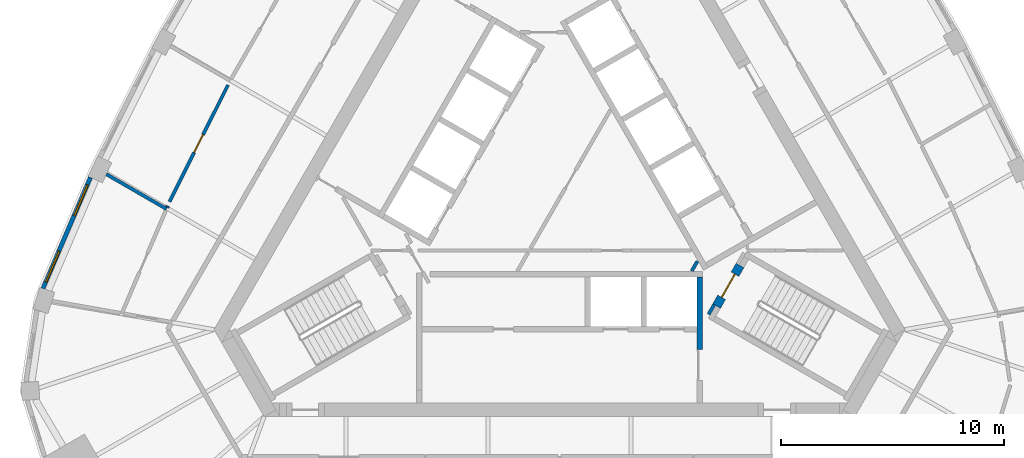
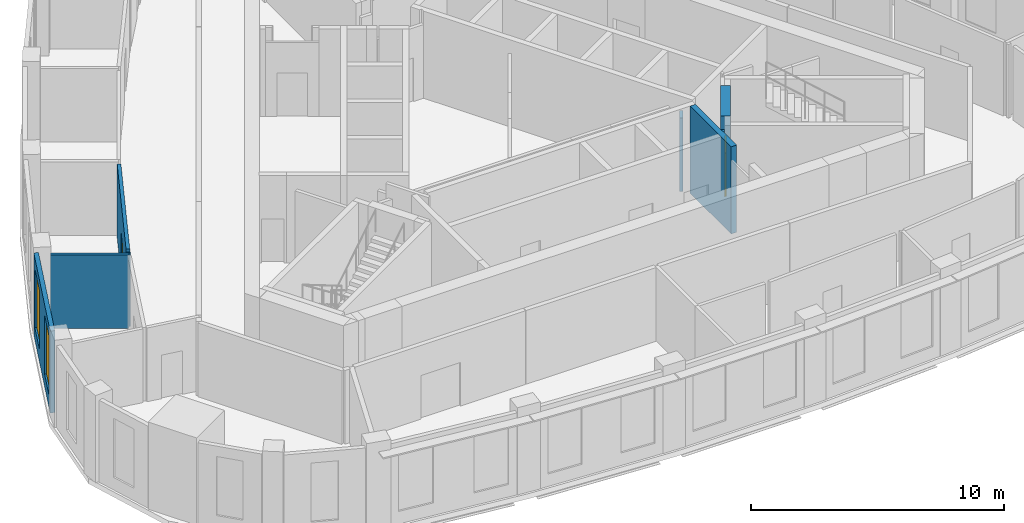
# One storey, part 4 of 10: 8 walls, 2 doors, 2 windows, 4 openings.
"""IFC4 building model written with IfcOpenShell, lengths in metres."""

from ifc_helpers import new_model, si_unit, direction, frame, frame_2d, origin, place, context, subcontext, project, spatial, rectangle, extrude, material, layer, layer_set, type_object, element, fill, save


model = new_model("IFC4")

# Units and contexts
model_context = context("Model", 3, precision=1e-05, world=origin(), true_north=direction((0.0, 1.0)))
body_context = subcontext(model_context, "Body", "Model", "MODEL_VIEW")
ifc_project = project(units=[si_unit("LENGTHUNIT", "METRE"), si_unit("AREAUNIT", "SQUARE_METRE"), si_unit("VOLUMEUNIT", "CUBIC_METRE"), si_unit("PLANEANGLEUNIT", "RADIAN"), si_unit("MASSUNIT", "GRAM", prefix="KILO")], contexts=[model_context])

# Site, building, storey
site_placement = place(None, origin())
site = spatial("IfcSite", under=ifc_project, at=site_placement, CompositionType="ELEMENT")
building_placement = place(site_placement, origin())
building = spatial("IfcBuilding", under=site, at=building_placement, Name="Mestral Congress Tower", CompositionType="ELEMENT")
storey_placement = place(building_placement, frame((0.0, 0.0, 292.199951171875)))
storey = spatial("IfcBuildingStorey", under=building, at=storey_placement, Name="L68", CompositionType="ELEMENT", Elevation=292.199951171875)

# Walls
ifc_material_1 = material(Name="Fire-rated board partition")
ifc_layer_1 = layer(ifc_material_1, 0.14990234375)
ifc_layer_set_1 = layer_set([ifc_layer_1], Name="Fire-rated board partition")
wall_type_1 = type_object("IfcWallType", Name="Core partition 150", PredefinedType="PARTITIONING", material=ifc_layer_set_1)
wall_1_placement = place(storey_placement, frame((6.68798828125, -5.667236328125, 0.0), z_axis=(0.0, 0.0, 1.0), x_axis=(0.499834152157, 0.86612113491, 0.0)))
element("IfcWall", 1, at=wall_1_placement, inside=storey, type_object=wall_type_1, Name="L68 core wall", PredefinedType="PARTITIONING", context=body_context, shape_type="SweptSolid", body=[
    extrude(rectangle(XDim=0.504638671875, YDim=0.14990234375, at=frame_2d((0.25244140625, 0.0))), origin(), (0.0, 0.0, 1.0), 3.550048828125),
])
wall_2_placement = place(storey_placement, frame((5.935791015625, -3.718017578125, 0.0), z_axis=(0.0, 0.0, 1.0), x_axis=(0.499890179513, 0.866088799389, 0.0)))
element("IfcWall", 2, at=wall_2_placement, inside=storey, type_object=wall_type_1, Name="L68 core wall", PredefinedType="PARTITIONING", context=body_context, shape_type="SweptSolid", body=[
    extrude(rectangle(XDim=0.50390625, YDim=0.14990234375, at=frame_2d((0.251953125, 0.0))), origin(), (0.0, 0.0, 1.0), 3.550048828125),
])

# Wall, openings, windows
ifc_material_2 = material(Name="Precast concrete C40/50 with limestone facing", Category="masonry")
ifc_layer_2 = layer(ifc_material_2, 0.18994140625)
ifc_layer_set_2 = layer_set([ifc_layer_2], Name="Precast concrete C40/50 with limestone facing")
wall_type_2 = type_object("IfcWallType", Name="Facade stone wall 190", PredefinedType="SOLIDWALL", material=ifc_layer_set_2)
wall_3_placement = place(storey_placement, frame((-21.048828125, 0.477783203125, 0.0), z_axis=(0.0, 0.0, 1.0), x_axis=(-0.393347848476, -0.919389726992, 0.0)))
wall_3 = element("IfcWall", 3, at=wall_3_placement, inside=storey, type_object=wall_type_2, Name="Facade wall F2-04", PredefinedType="SOLIDWALL", context=body_context, shape_type="SweptSolid", body=[
    extrude(rectangle(XDim=5.414794921875, YDim=0.18994140625, at=frame_2d((2.70751953125, 0.0))), origin(), (0.0, 0.0, 1.0), 3.949951171875),
])
opening_1_placement = place(wall_3_placement, frame((0.357421875, 0.0, 0.60009765625)))
opening_1 = element("IfcOpeningElement", 4, at=opening_1_placement, cuts=wall_3, Name="Opening W6", PredefinedType="OPENING", context=body_context, shape_type="SweptSolid", body=[
    extrude(rectangle(XDim=1.5, YDim=2.85009765625, at=frame_2d((0.75, 1.425048828125))), frame((0.0, 0.10498046875, 0.0), z_axis=(0.0, -1.0, 0.0), x_axis=(1.0, 0.0, 0.0)), (0.0, 0.0, 1.0), 0.2099609375),
])
opening_2_placement = place(wall_3_placement, frame((3.592529296875, 0.0, 0.60009765625)))
opening_2 = element("IfcOpeningElement", 5, at=opening_2_placement, cuts=wall_3, Name="Opening W6", PredefinedType="OPENING", context=body_context, shape_type="SweptSolid", body=[
    extrude(rectangle(XDim=1.5, YDim=2.85009765625, at=frame_2d((0.75, 1.425048828125))), frame((0.0, 0.10498046875, 0.0), z_axis=(0.0, -1.0, 0.0), x_axis=(1.0, 0.0, 0.0)), (0.0, 0.0, 1.0), 0.2099609375),
])
ifc_material_3 = material(Name="Clear low-emissivity double glazing", Category="glass")
window_type = type_object("IfcWindowType", Name="Facade punched window 1500 x 2850 sill 600", PartitioningType="SINGLE_PANEL", PredefinedType="WINDOW", material=ifc_material_3)
window_1_placement = place(opening_1_placement, origin())
window_1 = element("IfcWindow", 6, at=window_1_placement, inside=storey, type_object=window_type, Name="Window F2-04a", OverallHeight=2.85009765625, OverallWidth=1.5, PartitioningType="SINGLE_PANEL", PredefinedType="WINDOW", context=body_context, shape_type="SweptSolid", body=[
    extrude(rectangle(XDim=1.5, YDim=2.85009765625, at=frame_2d((0.75, 1.425048828125))), frame((0.0, 0.044921875, 0.0), z_axis=(0.0, -1.0, 0.0), x_axis=(1.0, 0.0, 0.0)), (0.0, 0.0, 1.0), 0.06005859375),
])
fill(opening_1, window_1)
window_2_placement = place(opening_2_placement, origin())
window_2 = element("IfcWindow", 7, at=window_2_placement, inside=storey, type_object=window_type, Name="Window F2-04b", OverallHeight=2.85009765625, OverallWidth=1.5, PartitioningType="SINGLE_PANEL", PredefinedType="WINDOW", context=body_context, shape_type="SweptSolid", body=[
    extrude(rectangle(XDim=1.5, YDim=2.85009765625, at=frame_2d((0.75, 1.425048828125))), frame((0.0, 0.044921875, 0.0), z_axis=(0.0, -1.0, 0.0), x_axis=(1.0, 0.0, 0.0)), (0.0, 0.0, 1.0), 0.06005859375),
])
fill(opening_2, window_2)

# Wall
ifc_material_4 = material(Name="Plasterboard partition on steel studs", Category="steel")
ifc_layer_3 = layer(ifc_material_4, 0.14990234375)
ifc_layer_set_3 = layer_set([ifc_layer_3], Name="Plasterboard partition on steel studs")
wall_type_3 = type_object("IfcWallType", Name="Office partition 150", PredefinedType="PARTITIONING", material=ifc_layer_set_3)
wall_4_placement = place(storey_placement, frame((-17.634521484375, -0.935546875, 0.0), z_axis=(0.0, 0.0, 1.0), x_axis=(-0.866044607523, 0.499966736674, 0.0)))
element("IfcWall", 8, at=wall_4_placement, inside=storey, type_object=wall_type_3, Name="Partition", PredefinedType="PARTITIONING", context=body_context, shape_type="SweptSolid", body=[
    extrude(rectangle(XDim=3.114501953125, YDim=0.14990234375, at=frame_2d((1.55712890625, 0.0))), origin(), (0.0, 0.0, 1.0), 3.550048828125),
])

# Wall, opening, door
wall_5_placement = place(storey_placement, frame((-17.49658203125, -0.61328125, 0.0), z_axis=(0.0, 0.0, 1.0), x_axis=(0.447480081559, 0.89429389834, 0.0)))
wall_5 = element("IfcWall", 9, at=wall_5_placement, inside=storey, type_object=wall_type_3, Name="Partition", PredefinedType="PARTITIONING", context=body_context, shape_type="SweptSolid", body=[
    extrude(rectangle(XDim=5.86279296875, YDim=0.14990234375, at=frame_2d((2.931396484375, 0.0))), origin(), (0.0, 0.0, 1.0), 3.550048828125),
])
opening_3_placement = place(wall_5_placement, frame((2.463134765625, 0.0, 0.0)))
opening_3 = element("IfcOpeningElement", 10, at=opening_3_placement, cuts=wall_5, Name="Opening O13-015", PredefinedType="OPENING", context=body_context, shape_type="SweptSolid", body=[
    extrude(rectangle(XDim=0.89990234375, YDim=2.10009765625, at=frame_2d((0.449951171875, 1.050048828125))), frame((0.0, 0.0849609375, 0.0), z_axis=(0.0, -1.0, 0.0), x_axis=(1.0, 0.0, 0.0)), (0.0, 0.0, 1.0), 0.169921875),
])
ifc_material_5 = material(Name="Timber door set", Category="wood")
door_type_1 = type_object("IfcDoorType", Name="Office door 900x2100", OperationType="SINGLE_SWING_LEFT", PredefinedType="DOOR", material=ifc_material_5)
door_1_placement = place(opening_3_placement, origin())
door_1 = element("IfcDoor", 11, at=door_1_placement, inside=storey, type_object=door_type_1, Name="Door O13-015", OperationType="SINGLE_SWING_LEFT", OverallHeight=2.10009765625, OverallWidth=0.89990234375, PredefinedType="DOOR", context=body_context, shape_type="SweptSolid", body=[
    extrude(rectangle(XDim=0.89990234375, YDim=2.10009765625, at=frame_2d((0.449951171875, 1.050048828125))), frame((0.0, 0.02490234375, 0.0), z_axis=(0.0, -1.0, 0.0), x_axis=(1.0, 0.0, 0.0)), (0.0, 0.0, 1.0), 0.050048828125),
])
fill(opening_3, door_1)

# Walls
wall_6_placement = place(storey_placement, frame((-17.5810546875, -0.810302734375, 0.0), z_axis=(0.0, 0.0, 1.0), x_axis=(-0.390033474923, -0.92080067791, 0.0)))
element("IfcWall", 12, at=wall_6_placement, inside=storey, type_object=wall_type_3, Name="Partition", PredefinedType="PARTITIONING", context=body_context, shape_type="SweptSolid", body=[
    extrude(rectangle(XDim=0.060791015625, YDim=0.14990234375, at=frame_2d((0.0302734375, 0.0))), origin(), (0.0, 0.0, 1.0), 3.550048828125),
])
ifc_material_6 = material(Name="Concrete C60/75", Category="concrete")
ifc_layer_4 = layer(ifc_material_6, 0.25)
ifc_layer_set_4 = layer_set([ifc_layer_4], Name="Concrete C60/75")
wall_type_4 = type_object("IfcWallType", Name="Shaft wall RC 250", PredefinedType="SOLIDWALL", material=ifc_layer_set_4)
wall_7_placement = place(storey_placement, frame((6.300048828125, -7.239990234375, 0.0), z_axis=(0.0, 0.0, 1.0), x_axis=(0.0, 1.0, 0.0)))
element("IfcWall", 13, at=wall_7_placement, inside=storey, type_object=wall_type_4, Name="L68 core wall", PredefinedType="SOLIDWALL", context=body_context, shape_type="SweptSolid", body=[
    extrude(rectangle(XDim=3.239990234375, YDim=0.25, at=frame_2d((1.6201171875, 0.0))), origin(), (0.0, 0.0, 1.0), 4.199951171875),
])

# Wall, opening, door
ifc_layer_5 = layer(ifc_material_6, 0.39990234375)
ifc_layer_set_5 = layer_set([ifc_layer_5], Name="Concrete C60/75")
wall_type_5 = type_object("IfcWallType", Name="Stair wall RC 250 door-wall 400", PredefinedType="SOLIDWALL", material=ifc_layer_set_5)
wall_8_placement = place(storey_placement, frame((7.048095703125, -5.29248046875, 0.0), z_axis=(0.0, 0.0, 1.0), x_axis=(0.49994051562, 0.866059744384, 0.0)))
wall_8 = element("IfcWall", 14, at=wall_8_placement, inside=storey, type_object=wall_type_5, Name="L68 door wall", PredefinedType="SOLIDWALL", context=body_context, shape_type="SweptSolid", body=[
    extrude(rectangle(XDim=2.099853515625, YDim=0.39990234375, at=frame_2d((1.0498046875, 0.0))), origin(), (0.0, 0.0, 1.0), 4.199951171875),
])
opening_4_placement = place(wall_8_placement, frame((0.449951171875, 0.0, 0.0)))
opening_4 = element("IfcOpeningElement", 15, at=opening_4_placement, cuts=wall_8, Name="Opening ST-D1", PredefinedType="OPENING", context=body_context, shape_type="SweptSolid", body=[
    extrude(rectangle(XDim=1.199951171875, YDim=2.10009765625, at=frame_2d((0.60009765625, 1.050048828125))), frame((0.0, 0.2099609375, 0.0), z_axis=(0.0, -1.0, 0.0), x_axis=(1.0, 0.0, 0.0)), (0.0, 0.0, 1.0), 0.419921875),
])
ifc_material_7 = material(Name="Fire-rated steel door set", Category="steel")
door_type_2 = type_object("IfcDoorType", Name="Core door ST 1200x2100", OperationType="SINGLE_SWING_LEFT", PredefinedType="DOOR", material=ifc_material_7)
door_2_placement = place(opening_4_placement, origin())
door_2 = element("IfcDoor", 16, at=door_2_placement, inside=storey, type_object=door_type_2, Name="Door ST-D1", OperationType="SINGLE_SWING_LEFT", OverallHeight=2.10009765625, OverallWidth=1.199951171875, PredefinedType="DOOR", context=body_context, shape_type="SweptSolid", body=[
    extrude(rectangle(XDim=1.199951171875, YDim=2.10009765625, at=frame_2d((0.60009765625, 1.050048828125))), frame((0.0, 0.02490234375, 0.0), z_axis=(0.0, -1.0, 0.0), x_axis=(1.0, 0.0, 0.0)), (0.0, 0.0, 1.0), 0.050048828125),
])
fill(opening_4, door_2)

save(model, "model.ifc")
